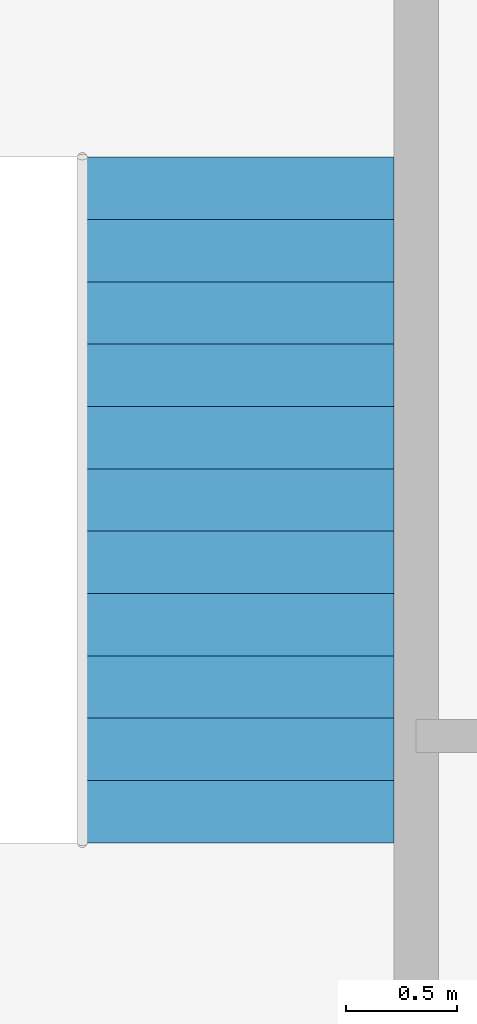
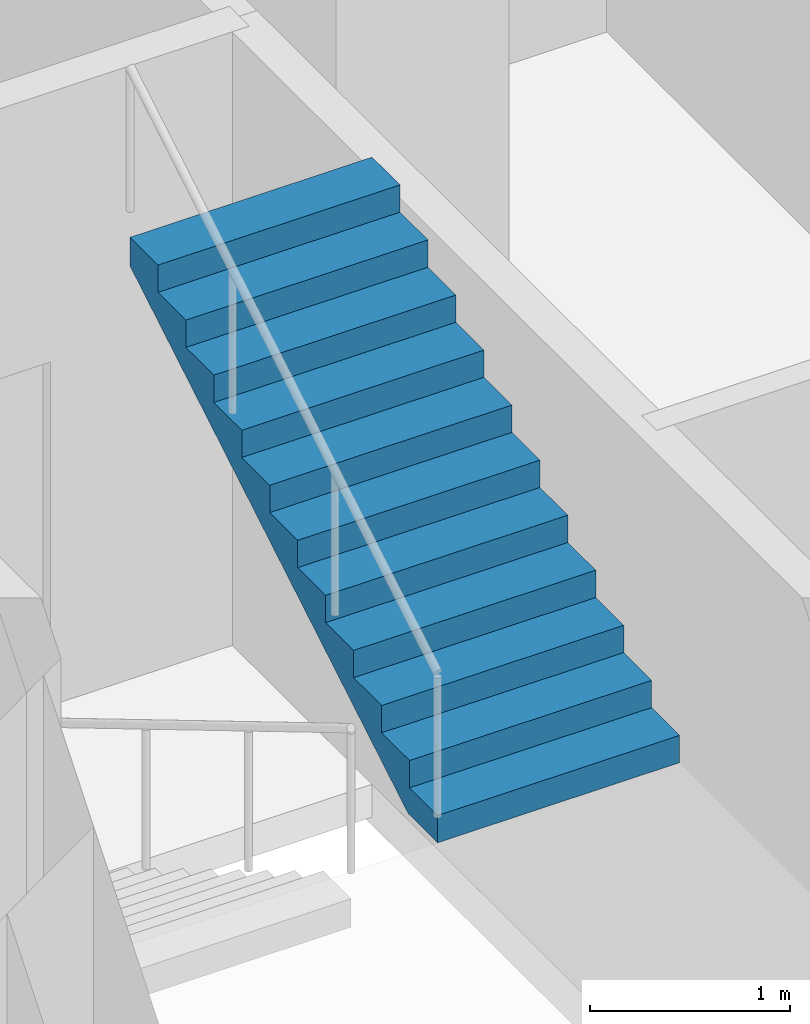
# One storey, part 12 of 13: 1 stair flight, 1 element without a shape of its own.
"""IFC4 building model written with IfcOpenShell, lengths in metres."""

from ifc_helpers import new_model, si_unit, direction, frame, origin, place, context, subcontext, project, spatial, polyline, outline, extrude, material, type_object, element, aggregate, save


model = new_model("IFC4")

# Units and contexts
model_context = context("Model", 3, precision=1e-05, world=origin(), true_north=direction((0.0, 1.0)))
body_context = subcontext(model_context, "Body", "Model", "MODEL_VIEW")
ifc_project = project(units=[si_unit("LENGTHUNIT", "METRE"), si_unit("AREAUNIT", "SQUARE_METRE"), si_unit("VOLUMEUNIT", "CUBIC_METRE"), si_unit("PLANEANGLEUNIT", "RADIAN"), si_unit("MASSUNIT", "GRAM", prefix="KILO")], contexts=[model_context])

# Site, building, storey
site_placement = place(None, origin())
site = spatial("IfcSite", under=ifc_project, at=site_placement, CompositionType="ELEMENT")
building_placement = place(site_placement, origin())
building = spatial("IfcBuilding", under=site, at=building_placement, Name="Malebo Sky Hospital", CompositionType="ELEMENT")
storey_placement = place(building_placement, frame((0.0, 0.0, 35.0)))
storey = spatial("IfcBuildingStorey", under=building, at=storey_placement, Name="L07", CompositionType="ELEMENT", Elevation=35.0)

# Stair, stair flight
ifc_material = material(Name="Concrete C40/50", Category="concrete")
stair_type = type_object("IfcStairType", Name="HALF-TURN STAIR 1400 R167", PredefinedType="HALF_TURN_STAIR", material=ifc_material)
stair_placement = place(storey_placement, origin())
stair = element("IfcStair", 1, at=stair_placement, inside=storey, type_object=stair_type, Name="Stair S3 L07 type ST1B", PredefinedType="HALF_TURN_STAIR")
stair_flight_type = type_object("IfcStairFlightType", Name="STAIR FLIGHT 1400 R167", PredefinedType="STRAIGHT", material=ifc_material)
stair_flight_placement = place(storey_placement, frame((71.699951171875, 70.52001953125, 2.0), z_axis=(0.0, 0.0, 1.0), x_axis=(0.0, 1.0, 0.0)))
stair_flight = element("IfcStairFlight", 2, at=stair_flight_placement, type_object=stair_flight_type, Name="S3 flight 2 type SF1B", NumberOfRisers=12, NumberOfTreads=11, PredefinedType="STRAIGHT", RiserHeight=0.166666667, TreadLength=0.28, context=body_context, shape_type="SweptSolid", body=[
    extrude(outline(polyline([(0.0, 0.0), (0.0, 0.166748046875), (0.280029296875, 0.166748046875), (0.280029296875, 0.333251953125), (0.56005859375, 0.333251953125), (0.56005859375, 0.5), (0.840087890625, 0.5), (0.840087890625, 0.666748046875), (1.1201171875, 0.666748046875), (1.1201171875, 0.833251953125), (1.39990234375, 0.833251953125), (1.39990234375, 1.0), (1.679931640625, 1.0), (1.679931640625, 1.166748046875), (1.9599609375, 1.166748046875), (1.9599609375, 1.333251953125), (2.239990234375, 1.333251953125), (2.239990234375, 1.5), (2.52001953125, 1.5), (2.52001953125, 1.666748046875), (2.800048828125, 1.666748046875), (2.800048828125, 1.833251953125), (3.080078125, 1.833251953125), (3.080078125, 2.0), (3.080078125, 1.658935546875), (0.29296875, 0.0), (0.0, 0.0)])), frame((0.0, 0.699951171875, 0.0), z_axis=(0.0, -1.0, 0.0), x_axis=(1.0, 0.0, 0.0)), (0.0, 0.0, 1.0), 1.39990234375),
])
aggregate(stair, [stair_flight])

save(model, "model.ifc")
